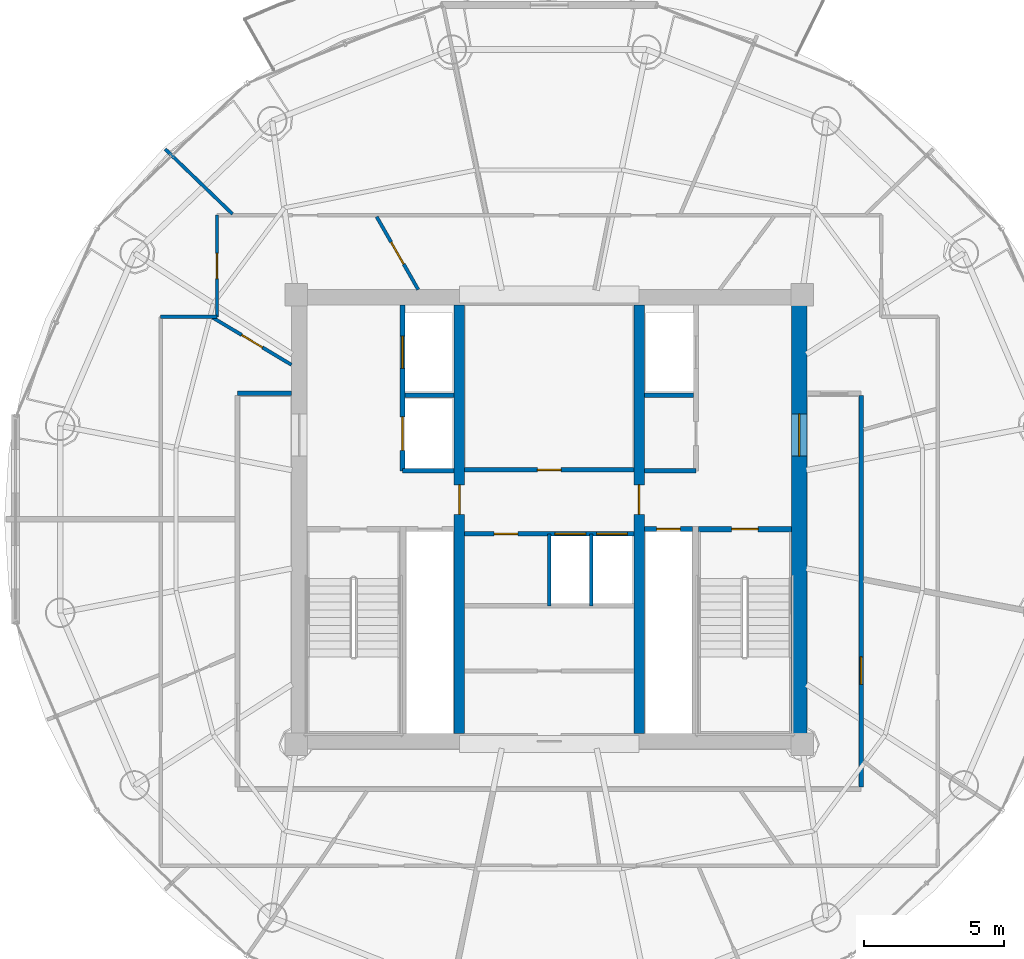
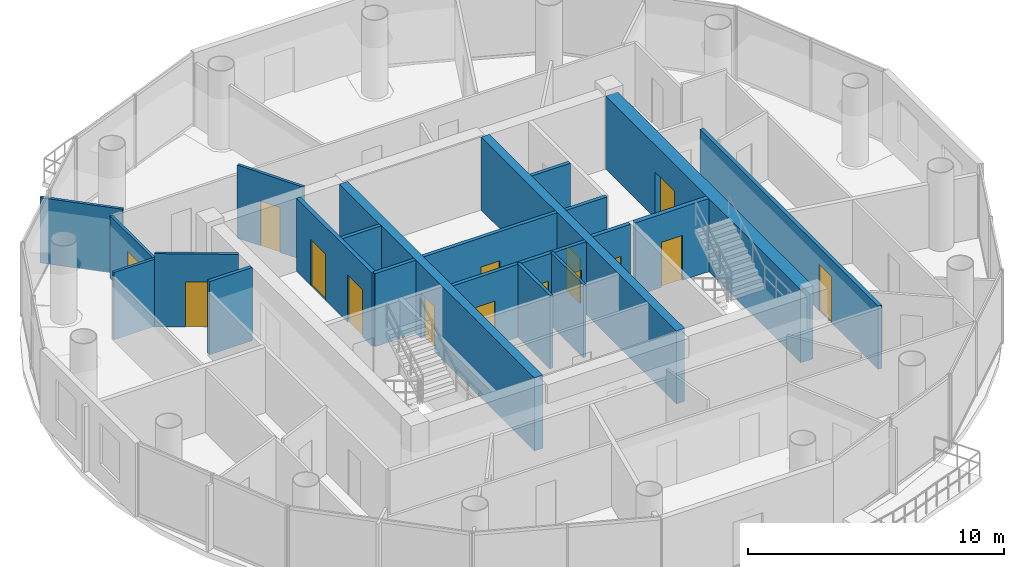
# One storey, part 18 of 23: 21 walls, 15 doors, 15 openings.
"""IFC4 building model written with IfcOpenShell, lengths in metres."""

from ifc_helpers import new_model, si_unit, direction, frame, frame_2d, origin, place, context, subcontext, project, spatial, rectangle, extrude, source, transform, mapped, material, layer, layer_set, type_object, element, fill, save


model = new_model("IFC4")

# Units and contexts
model_context = context("Model", 3, precision=1e-05, world=origin(), true_north=direction((-0.2419218956, 0.970295726276)))
body_context = subcontext(model_context, "Body", "Model", "MODEL_VIEW")
ifc_project = project(units=[si_unit("LENGTHUNIT", "METRE"), si_unit("AREAUNIT", "SQUARE_METRE"), si_unit("VOLUMEUNIT", "CUBIC_METRE"), si_unit("PLANEANGLEUNIT", "RADIAN"), si_unit("MASSUNIT", "GRAM", prefix="KILO")], contexts=[model_context])

# Site, building, storey
site_placement = place(None, origin())
site = spatial("IfcSite", under=ifc_project, at=site_placement, CompositionType="ELEMENT")
building_placement = place(site_placement, origin())
building = spatial("IfcBuilding", under=site, at=building_placement, Name="Cobrevalo Terracotta Tower", CompositionType="ELEMENT")
storey_placement = place(building_placement, frame((0.0, 0.0, 266.949951171875)))
storey = spatial("IfcBuildingStorey", under=building, at=storey_placement, Name="L70", CompositionType="ELEMENT", Elevation=266.949951171875)

# Wall, opening, door
ifc_material_1 = material(Name="Concrete C50", Category="concrete")
ifc_layer_1 = layer(ifc_material_1, 0.550048828125)
ifc_layer_set_1 = layer_set([ifc_layer_1], Name="Concrete C50")
wall_type_1 = type_object("IfcWallType", Name="Core shear wall 550 mm Concrete C50", PredefinedType="SHEAR", material=ifc_layer_set_1)
wall_1_placement = place(storey_placement, frame((46.89990234375, 19.175048828125, 0.0), z_axis=(0.0, 0.0, 1.0), x_axis=(0.0, 1.0, 0.0)))
wall_1 = element("IfcWall", 1, at=wall_1_placement, inside=storey, type_object=wall_type_1, Name="L70 east core shear wall", PredefinedType="SHEAR", context=body_context, shape_type="SweptSolid", body=[
    extrude(rectangle(XDim=15.25, YDim=0.550048828125, at=frame_2d((7.625, 0.0))), origin(), (0.0, 0.0, 1.0), 3.489990234375),
])
opening_1_placement = place(wall_1_placement, frame((9.875, 0.0, 0.0)))
opening_1 = element("IfcOpeningElement", 2, at=opening_1_placement, cuts=wall_1, Name="Opening ID-14", PredefinedType="OPENING", context=body_context, shape_type="SweptSolid", body=[
    extrude(rectangle(XDim=1.5, YDim=2.199951171875, at=frame_2d((0.75, 1.10009765625))), frame((0.0, 0.28515625, 0.0), z_axis=(0.0, -1.0, 0.0), x_axis=(1.0, 0.0, 0.0)), (0.0, 0.0, 1.0), 0.570068359375),
])
ifc_material_2 = material(Name="Galvanized fire-rated steel", Category="steel")
door_type_1 = type_object("IfcDoorType", Name="Core cross-lobby double fire door 1500x2200 EI 90", OperationType="NOTDEFINED", PredefinedType="DOOR", material=ifc_material_2)
shared_shape_1 = source(origin(), body_context, "Body", "SweptSolid", [
    extrude(rectangle(XDim=1.5, YDim=2.199951171875, at=frame_2d((0.75, 1.10009765625))), frame((0.0, 0.02490234375, 0.0), z_axis=(0.0, -1.0, 0.0), x_axis=(1.0, 0.0, 0.0)), (0.0, 0.0, 1.0), 0.050048828125),
])
door_1_placement = place(opening_1_placement, frame((1.5, 0.0, 0.0), z_axis=(0.0, 0.0, 1.0), x_axis=(-1.0, 0.0, 0.0)))
door_1 = element("IfcDoor", 3, at=door_1_placement, inside=storey, type_object=door_type_1, Name="L70 east firefighting lobby entrance door", OperationType="DOUBLE_DOOR_SINGLE_SWING", OverallHeight=2.199951171875, OverallWidth=1.5, PredefinedType="DOOR", context=body_context, shape_type="MappedRepresentation", body=[
    mapped(shared_shape_1, transform((0.0, 0.0, 0.0), scale=1.0)),
])
fill(opening_1, door_1)

# Walls
ifc_material_3 = material(Name="Gypsum board on steel stud", Category="steel")
ifc_layer_2 = layer(ifc_material_3, 0.159912109375)
ifc_layer_set_2 = layer_set([ifc_layer_2], Name="Gypsum board on steel stud")
wall_type_2 = type_object("IfcWallType", Name="Fire-rated corridor acoustic partition wall 160 mm", PredefinedType="PARTITIONING", material=ifc_layer_set_2)
wall_2_placement = place(storey_placement, frame((32.860107421875, 31.219970703125, 0.0), z_axis=(0.0, 0.0, 1.0), x_axis=(1.0, 0.0, 0.0)))
element("IfcWall", 4, at=wall_2_placement, inside=storey, type_object=wall_type_2, Name="L70 interior partition IW-L70-FF1-M", PredefinedType="PARTITIONING", context=body_context, shape_type="SweptSolid", body=[
    extrude(rectangle(XDim=1.75, YDim=0.159912109375, at=frame_2d((0.875, 0.0))), origin(), (0.0, 0.0, 1.0), 3.489990234375),
])
wall_3_placement = place(storey_placement, frame((32.77001953125, 28.52001953125, 0.0), z_axis=(0.0, 0.0, 1.0), x_axis=(1.0, 0.0, 0.0)))
element("IfcWall", 5, at=wall_3_placement, inside=storey, type_object=wall_type_2, Name="L70 interior partition IW-L70-FF1-S", PredefinedType="PARTITIONING", context=body_context, shape_type="SweptSolid", body=[
    extrude(rectangle(XDim=1.840087890625, YDim=0.159912109375, at=frame_2d((0.919921875, 0.0))), origin(), (0.0, 0.0, 1.0), 3.489990234375),
])
wall_4_placement = place(storey_placement, frame((41.389892578125, 31.219970703125, 0.0), z_axis=(0.0, 0.0, 1.0), x_axis=(1.0, 0.0, 0.0)))
element("IfcWall", 6, at=wall_4_placement, inside=storey, type_object=wall_type_2, Name="L70 interior partition IW-L70-FF2-M", PredefinedType="PARTITIONING", context=body_context, shape_type="SweptSolid", body=[
    extrude(rectangle(XDim=1.75, YDim=0.159912109375, at=frame_2d((0.875, 0.0))), origin(), (0.0, 0.0, 1.0), 3.489990234375),
])
wall_5_placement = place(storey_placement, frame((41.389892578125, 28.52001953125, 0.0), z_axis=(0.0, 0.0, 1.0), x_axis=(1.0, 0.0, 0.0)))
element("IfcWall", 7, at=wall_5_placement, inside=storey, type_object=wall_type_2, Name="L70 interior partition IW-L70-FF2-S", PredefinedType="PARTITIONING", context=body_context, shape_type="SweptSolid", body=[
    extrude(rectangle(XDim=1.840087890625, YDim=0.159912109375, at=frame_2d((0.919921875, 0.0))), origin(), (0.0, 0.0, 1.0), 3.489990234375),
])

# Wall, opening, door
wall_6_placement = place(storey_placement, frame((34.989990234375, 28.56005859375, 0.0), z_axis=(0.0, 0.0, 1.0), x_axis=(1.0, 0.0, 0.0)))
wall_6 = element("IfcWall", 8, at=wall_6_placement, inside=storey, type_object=wall_type_2, Name="L70 interior partition IW-L70-LB-S", PredefinedType="PARTITIONING", context=body_context, shape_type="SweptSolid", body=[
    extrude(rectangle(XDim=6.02001953125, YDim=0.159912109375, at=frame_2d((3.010009765625, 0.0))), origin(), (0.0, 0.0, 1.0), 3.489990234375),
])
opening_2_placement = place(wall_6_placement, frame((2.5849609375, 0.0, 0.0)))
opening_2 = element("IfcOpeningElement", 9, at=opening_2_placement, cuts=wall_6, Name="Opening ID-22", PredefinedType="OPENING", context=body_context, shape_type="SweptSolid", body=[
    extrude(rectangle(XDim=0.85009765625, YDim=2.10009765625, at=frame_2d((0.425048828125, 1.050048828125))), frame((0.0, 0.08984375, 0.0), z_axis=(0.0, -1.0, 0.0), x_axis=(1.0, 0.0, 0.0)), (0.0, 0.0, 1.0), 0.179931640625),
])
ifc_material_4 = material(Name="Powder-coated steel", Category="steel")
door_type_2 = type_object("IfcDoorType", Name="Riser shaft & meter closet fire access door 850x2100 EI 60", OperationType="NOTDEFINED", PredefinedType="DOOR", material=ifc_material_4)
shared_shape_2 = source(origin(), body_context, "Body", "SweptSolid", [
    extrude(rectangle(XDim=0.85009765625, YDim=2.10009765625, at=frame_2d((0.425048828125, 1.050048828125))), frame((0.0, 0.02490234375, 0.0), z_axis=(0.0, -1.0, 0.0), x_axis=(1.0, 0.0, 0.0)), (0.0, 0.0, 1.0), 0.050048828125),
])
door_2_placement = place(opening_2_placement, origin())
door_2 = element("IfcDoor", 10, at=door_2_placement, inside=storey, type_object=door_type_2, Name="L70 core service door Floor Electrical Switchroom", OperationType="SINGLE_SWING_LEFT", OverallHeight=2.10009765625, OverallWidth=0.85009765625, PredefinedType="DOOR", context=body_context, shape_type="MappedRepresentation", body=[
    mapped(shared_shape_2, transform((0.0, 0.0, 0.0), scale=1.0)),
])
fill(opening_2, door_2)

# Wall, openings, doors
wall_7_placement = place(storey_placement, frame((34.989990234375, 26.280029296875, 0.0), z_axis=(0.0, 0.0, 1.0), x_axis=(1.0, 0.0, 0.0)))
wall_7 = element("IfcWall", 11, at=wall_7_placement, inside=storey, type_object=wall_type_2, Name="L70 interior partition IW-L70-MB-N", PredefinedType="PARTITIONING", context=body_context, shape_type="SweptSolid", body=[
    extrude(rectangle(XDim=6.02001953125, YDim=0.159912109375, at=frame_2d((3.010009765625, 0.0))), origin(), (0.0, 0.0, 1.0), 3.489990234375),
])
opening_3_placement = place(wall_7_placement, frame((1.044921875, 0.0, 0.0)))
opening_3 = element("IfcOpeningElement", 12, at=opening_3_placement, cuts=wall_7, Name="Opening ID-22", PredefinedType="OPENING", context=body_context, shape_type="SweptSolid", body=[
    extrude(rectangle(XDim=0.85009765625, YDim=2.10009765625, at=frame_2d((0.425048828125, 1.050048828125))), frame((0.0, 0.08984375, 0.0), z_axis=(0.0, -1.0, 0.0), x_axis=(1.0, 0.0, 0.0)), (0.0, 0.0, 1.0), 0.179931640625),
])
opening_4_placement = place(wall_7_placement, frame((3.215087890625, 0.0, 0.0)))
opening_4 = element("IfcOpeningElement", 13, at=opening_4_placement, cuts=wall_7, Name="Opening LD-01", PredefinedType="OPENING", context=body_context, shape_type="SweptSolid", body=[
    extrude(rectangle(XDim=1.10009765625, YDim=2.199951171875, at=frame_2d((0.550048828125, 1.10009765625))), frame((0.0, 0.08984375, 0.0), z_axis=(0.0, -1.0, 0.0), x_axis=(1.0, 0.0, 0.0)), (0.0, 0.0, 1.0), 0.179931640625),
])
opening_5_placement = place(wall_7_placement, frame((4.695068359375, 0.0, 0.0)))
opening_5 = element("IfcOpeningElement", 14, at=opening_5_placement, cuts=wall_7, Name="Opening LD-01", PredefinedType="OPENING", context=body_context, shape_type="SweptSolid", body=[
    extrude(rectangle(XDim=1.10009765625, YDim=2.199951171875, at=frame_2d((0.550048828125, 1.10009765625))), frame((0.0, 0.08984375, 0.0), z_axis=(0.0, -1.0, 0.0), x_axis=(1.0, 0.0, 0.0)), (0.0, 0.0, 1.0), 0.179931640625),
])
door_3_placement = place(opening_3_placement, frame((0.85009765625, 0.0, 0.0), z_axis=(0.0, 0.0, 1.0), x_axis=(-1.0, 0.0, 0.0)))
door_3 = element("IfcDoor", 15, at=door_3_placement, inside=storey, type_object=door_type_2, Name="L70 core room door High-Rise Core Linen and Equipment Store", OperationType="SINGLE_SWING_RIGHT", OverallHeight=2.10009765625, OverallWidth=0.85009765625, PredefinedType="DOOR", context=body_context, shape_type="MappedRepresentation", body=[
    mapped(shared_shape_2, transform((0.0, 0.0, 0.0), scale=1.0)),
])
fill(opening_3, door_3)
ifc_material_5 = material(Name="Brushed stainless steel", Category="steel")
door_type_3 = type_object("IfcDoorType", Name="Passenger lift landing bi-parting sliding door 1100x2200 EI 90", OperationType="DOUBLE_DOOR_SLIDING", PredefinedType="DOOR", material=ifc_material_5)
shared_shape_3 = source(origin(), body_context, "Body", "SweptSolid", [
    extrude(rectangle(XDim=1.10009765625, YDim=2.199951171875, at=frame_2d((0.550048828125, 1.10009765625))), frame((0.0, 0.02490234375, 0.0), z_axis=(0.0, -1.0, 0.0), x_axis=(1.0, 0.0, 0.0)), (0.0, 0.0, 1.0), 0.050048828125),
])
door_4_placement = place(opening_4_placement, origin())
door_4 = element("IfcDoor", 16, at=door_4_placement, inside=storey, type_object=door_type_3, Name="L70 lift landing door PL-H1", OperationType="DOUBLE_DOOR_SLIDING", OverallHeight=2.199951171875, OverallWidth=1.10009765625, PredefinedType="DOOR", context=body_context, shape_type="MappedRepresentation", body=[
    mapped(shared_shape_3, transform((0.0, 0.0, 0.0), scale=1.0)),
])
fill(opening_4, door_4)
door_5_placement = place(opening_5_placement, origin())
door_5 = element("IfcDoor", 17, at=door_5_placement, inside=storey, type_object=door_type_3, Name="L70 lift landing door PL-H2", OperationType="DOUBLE_DOOR_SLIDING", OverallHeight=2.199951171875, OverallWidth=1.10009765625, PredefinedType="DOOR", context=body_context, shape_type="MappedRepresentation", body=[
    mapped(shared_shape_3, transform((0.0, 0.0, 0.0), scale=1.0)),
])
fill(opening_5, door_5)

# Wall
wall_8_placement = place(storey_placement, frame((26.89501953125, 31.280029296875, 0.0), z_axis=(0.0, 0.0, 1.0), x_axis=(1.0, 0.0, 0.0)))
element("IfcWall", 18, at=wall_8_placement, inside=storey, type_object=wall_type_2, Name="L70 interior partition IW-L70-COR-WN-CAP", PredefinedType="PARTITIONING", context=body_context, shape_type="SweptSolid", body=[
    extrude(rectangle(XDim=1.929931640625, YDim=0.159912109375, at=frame_2d((0.96484375, 0.0))), origin(), (0.0, 0.0, 1.0), 3.489990234375),
])

# Wall, opening, door
wall_9_placement = place(storey_placement, frame((49.10498046875, 17.27490234375, 0.0), z_axis=(0.0, 0.0, 1.0), x_axis=(0.0, 1.0, 0.0)))
wall_9 = element("IfcWall", 19, at=wall_9_placement, inside=storey, type_object=wall_type_2, Name="L70 interior partition IW-L70-COR-E", PredefinedType="PARTITIONING", context=body_context, shape_type="SweptSolid", body=[
    extrude(rectangle(XDim=13.925048828125, YDim=0.159912109375, at=frame_2d((6.96240234375, 0.0))), origin(), (0.0, 0.0, 1.0), 3.01513671875),
])
opening_6_placement = place(wall_9_placement, frame((3.647216796875, 0.0, 0.0)))
opening_6 = element("IfcOpeningElement", 20, at=opening_6_placement, cuts=wall_9, Name="Opening ID-05", PredefinedType="OPENING", context=body_context, shape_type="SweptSolid", body=[
    extrude(rectangle(XDim=0.97998046875, YDim=2.199951171875, at=frame_2d((0.489990234375, 1.10009765625))), frame((0.0, 0.08984375, 0.0), z_axis=(0.0, -1.0, 0.0), x_axis=(1.0, 0.0, 0.0)), (0.0, 0.0, 1.0), 0.179931640625),
])
ifc_material_6 = material(Name="Solid hardwood timber", Category="wood")
door_type_4 = type_object("IfcDoorType", Name="Residence entrance fire-rated acoustic timber door 980x2200 EI 60", OperationType="NOTDEFINED", PredefinedType="DOOR", material=ifc_material_6)
shared_shape_4 = source(origin(), body_context, "Body", "SweptSolid", [
    extrude(rectangle(XDim=0.97998046875, YDim=2.199951171875, at=frame_2d((0.489990234375, 1.10009765625))), frame((0.0, 0.02490234375, 0.0), z_axis=(0.0, -1.0, 0.0), x_axis=(1.0, 0.0, 0.0)), (0.0, 0.0, 1.0), 0.050048828125),
])
door_6_placement = place(opening_6_placement, frame((0.97998046875, 0.0, 0.0), z_axis=(0.0, 0.0, 1.0), x_axis=(-1.0, 0.0, 0.0)))
door_6 = element("IfcDoor", 21, at=door_6_placement, inside=storey, type_object=door_type_4, Name="Flat L70C fire-rated apartment entrance door", OperationType="SINGLE_SWING_RIGHT", OverallHeight=2.199951171875, OverallWidth=0.97998046875, PredefinedType="DOOR", context=body_context, shape_type="MappedRepresentation", body=[
    mapped(shared_shape_4, transform((0.0, 0.0, 0.0), scale=1.0)),
])
fill(opening_6, door_6)

ifc_layer_3 = layer(ifc_material_3, 0.179931640625)
ifc_layer_set_3 = layer_set([ifc_layer_3], Name="Gypsum board on steel stud")
wall_type_3 = type_object("IfcWallType", Name="Fire-rated shaft & lobby acoustic partition wall 180 mm", PredefinedType="PARTITIONING", material=ifc_layer_set_3)
wall_10_placement = place(storey_placement, frame((41.389892578125, 26.449951171875, 0.0), z_axis=(0.0, 0.0, 1.0), x_axis=(1.0, 0.0, 0.0)))
wall_10 = element("IfcWall", 22, at=wall_10_placement, inside=storey, type_object=wall_type_3, Name="L70 interior partition IW-L70-RSE-N", PredefinedType="PARTITIONING", context=body_context, shape_type="SweptSolid", body=[
    extrude(rectangle(XDim=1.710205078125, YDim=0.179931640625, at=frame_2d((0.85498046875, 0.0))), origin(), (0.0, 0.0, 1.0), 3.489990234375),
])
opening_7_placement = place(wall_10_placement, frame((0.429931640625, 0.0, 0.0)))
opening_7 = element("IfcOpeningElement", 23, at=opening_7_placement, cuts=wall_10, Name="Opening ID-22", PredefinedType="OPENING", context=body_context, shape_type="SweptSolid", body=[
    extrude(rectangle(XDim=0.85009765625, YDim=2.10009765625, at=frame_2d((0.425048828125, 1.050048828125))), frame((0.0, 0.10009765625, 0.0), z_axis=(0.0, -1.0, 0.0), x_axis=(1.0, 0.0, 0.0)), (0.0, 0.0, 1.0), 0.199951171875),
])
door_7_placement = place(opening_7_placement, origin())
door_7 = element("IfcDoor", 24, at=door_7_placement, inside=storey, type_object=door_type_2, Name="L70 riser access door RSE", OperationType="SINGLE_SWING_RIGHT", OverallHeight=2.10009765625, OverallWidth=0.85009765625, PredefinedType="DOOR", context=body_context, shape_type="MappedRepresentation", body=[
    mapped(shared_shape_2, transform((0.0, 0.0, 0.0), scale=1.0)),
])
fill(opening_7, door_7)

# Wall, openings, doors
wall_11_placement = place(storey_placement, frame((32.77001953125, 28.52001953125, 0.0), z_axis=(0.0, 0.0, 1.0), x_axis=(0.0, 1.0, 0.0)))
wall_11 = element("IfcWall", 25, at=wall_11_placement, inside=storey, type_object=wall_type_3, Name="L70 interior partition IW-L70-FF1-W", PredefinedType="PARTITIONING", context=body_context, shape_type="SweptSolid", body=[
    extrude(rectangle(XDim=5.905029296875, YDim=0.179931640625, at=frame_2d((2.95263671875, 0.0))), origin(), (0.0, 0.0, 1.0), 3.489990234375),
])
opening_8_placement = place(wall_11_placement, frame((3.655029296875, 0.0, 0.0)))
opening_8 = element("IfcOpeningElement", 26, at=opening_8_placement, cuts=wall_11, Name="Opening LD-02", PredefinedType="OPENING", context=body_context, shape_type="SweptSolid", body=[
    extrude(rectangle(XDim=1.14990234375, YDim=2.199951171875, at=frame_2d((0.574951171875, 1.10009765625))), frame((0.0, 0.10009765625, 0.0), z_axis=(0.0, -1.0, 0.0), x_axis=(1.0, 0.0, 0.0)), (0.0, 0.0, 1.0), 0.199951171875),
])
opening_9_placement = place(wall_11_placement, frame((0.72998046875, 0.0, 0.0)))
opening_9 = element("IfcOpeningElement", 27, at=opening_9_placement, cuts=wall_11, Name="Opening LD-03", PredefinedType="OPENING", context=body_context, shape_type="SweptSolid", body=[
    extrude(rectangle(XDim=1.199951171875, YDim=2.25, at=frame_2d((0.60009765625, 1.125))), frame((0.0, 0.10009765625, 0.0), z_axis=(0.0, -1.0, 0.0), x_axis=(1.0, 0.0, 0.0)), (0.0, 0.0, 1.0), 0.199951171875),
])
door_type_5 = type_object("IfcDoorType", Name="Firefighting lift landing bi-parting sliding door 1150x2200 EI 120", OperationType="DOUBLE_DOOR_SLIDING", PredefinedType="DOOR", material=ifc_material_5)
shared_shape_5 = source(origin(), body_context, "Body", "SweptSolid", [
    extrude(rectangle(XDim=1.14990234375, YDim=2.199951171875, at=frame_2d((0.574951171875, 1.10009765625))), frame((0.0, 0.02490234375, 0.0), z_axis=(0.0, -1.0, 0.0), x_axis=(1.0, 0.0, 0.0)), (0.0, 0.0, 1.0), 0.050048828125),
])
door_8_placement = place(opening_8_placement, origin())
door_8 = element("IfcDoor", 28, at=door_8_placement, inside=storey, type_object=door_type_5, Name="L70 lift landing door FF-1", OperationType="DOUBLE_DOOR_SLIDING", OverallHeight=2.199951171875, OverallWidth=1.14990234375, PredefinedType="DOOR", context=body_context, shape_type="MappedRepresentation", body=[
    mapped(shared_shape_5, transform((0.0, 0.0, 0.0), scale=1.0)),
])
fill(opening_8, door_8)
door_type_6 = type_object("IfcDoorType", Name="Service lift landing bi-parting sliding door 1200x2250 EI 120", OperationType="DOUBLE_DOOR_SLIDING", PredefinedType="DOOR", material=ifc_material_5)
shared_shape_6 = source(origin(), body_context, "Body", "SweptSolid", [
    extrude(rectangle(XDim=1.199951171875, YDim=2.25, at=frame_2d((0.60009765625, 1.125))), frame((0.0, 0.02490234375, 0.0), z_axis=(0.0, -1.0, 0.0), x_axis=(1.0, 0.0, 0.0)), (0.0, 0.0, 1.0), 0.050048828125),
])
door_9_placement = place(opening_9_placement, origin())
door_9 = element("IfcDoor", 29, at=door_9_placement, inside=storey, type_object=door_type_6, Name="L70 lift landing door SV-1", OperationType="DOUBLE_DOOR_SLIDING", OverallHeight=2.25, OverallWidth=1.199951171875, PredefinedType="DOOR", context=body_context, shape_type="MappedRepresentation", body=[
    mapped(shared_shape_6, transform((0.0, 0.0, 0.0), scale=1.0)),
])
fill(opening_9, door_9)

# Wall
ifc_material_7 = material(Name="Autoclaved aerated concrete block", Category="concrete")
ifc_layer_4 = layer(ifc_material_7, 0.1201171875)
ifc_layer_set_4 = layer_set([ifc_layer_4], Name="Autoclaved aerated concrete block")
wall_type_4 = type_object("IfcWallType", Name="Fire-rated wet-room & core service partition 120 mm", PredefinedType="PARTITIONING", material=ifc_layer_set_4)
wall_12_placement = place(storey_placement, frame((39.5, 23.719970703125, 0.0), z_axis=(0.0, 0.0, 1.0), x_axis=(0.0, 1.0, 0.0)))
element("IfcWall", 30, at=wall_12_placement, inside=storey, type_object=wall_type_4, Name="L70 interior partition IW-L70-MB-D3", PredefinedType="PARTITIONING", context=body_context, shape_type="SweptSolid", body=[
    extrude(rectangle(XDim=2.56005859375, YDim=0.1201171875, at=frame_2d((1.280029296875, 0.0))), origin(), (0.0, 0.0, 1.0), 3.489990234375),
])

# Wall, opening, door
ifc_layer_5 = layer(ifc_material_1, 0.3798828125)
ifc_layer_set_5 = layer_set([ifc_layer_5], Name="Concrete C50")
wall_type_5 = type_object("IfcWallType", Name="Internal core shear web wall 380 mm Concrete C50", PredefinedType="SHEAR", material=ifc_layer_set_5)
wall_13_placement = place(storey_placement, frame((34.800048828125, 19.175048828125, 0.0), z_axis=(0.0, 0.0, 1.0), x_axis=(0.0, 1.0, 0.0)))
wall_13 = element("IfcWall", 31, at=wall_13_placement, inside=storey, type_object=wall_type_5, Name="L70 internal core shear wall WEB-W", PredefinedType="SHEAR", context=body_context, shape_type="SweptSolid", body=[
    extrude(rectangle(XDim=15.25, YDim=0.3798828125, at=frame_2d((7.625, 0.0))), origin(), (0.0, 0.0, 1.0), 3.489990234375),
])
opening_10_placement = place(wall_13_placement, frame((7.800048828125, 0.0, 0.0)))
opening_10 = element("IfcOpeningElement", 32, at=opening_10_placement, cuts=wall_13, Name="Opening ID-11", PredefinedType="OPENING", context=body_context, shape_type="SweptSolid", body=[
    extrude(rectangle(XDim=1.050048828125, YDim=2.14990234375, at=frame_2d((0.52490234375, 1.074951171875))), frame((0.0, 0.199951171875, 0.0), z_axis=(0.0, -1.0, 0.0), x_axis=(1.0, 0.0, 0.0)), (0.0, 0.0, 1.0), 0.39990234375),
])
door_type_7 = type_object("IfcDoorType", Name="Core concourse cross fire door 1050x2150 EI 90", OperationType="NOTDEFINED", PredefinedType="DOOR", material=ifc_material_2)
shared_shape_7 = source(origin(), body_context, "Body", "SweptSolid", [
    extrude(rectangle(XDim=1.050048828125, YDim=2.14990234375, at=frame_2d((0.52490234375, 1.074951171875))), frame((0.0, 0.02490234375, 0.0), z_axis=(0.0, -1.0, 0.0), x_axis=(1.0, 0.0, 0.0)), (0.0, 0.0, 1.0), 0.050048828125),
])
door_10_placement = place(opening_10_placement, origin())
door_10 = element("IfcDoor", 33, at=door_10_placement, inside=storey, type_object=door_type_7, Name="L70 west core concourse cross door", OperationType="SINGLE_SWING_LEFT", OverallHeight=2.14990234375, OverallWidth=1.050048828125, PredefinedType="DOOR", context=body_context, shape_type="MappedRepresentation", body=[
    mapped(shared_shape_7, transform((0.0, 0.0, 0.0), scale=1.0)),
])
fill(opening_10, door_10)

wall_14_placement = place(storey_placement, frame((41.199951171875, 19.175048828125, 0.0), z_axis=(0.0, 0.0, 1.0), x_axis=(0.0, 1.0, 0.0)))
wall_14 = element("IfcWall", 34, at=wall_14_placement, inside=storey, type_object=wall_type_5, Name="L70 internal core shear wall WEB-E", PredefinedType="SHEAR", context=body_context, shape_type="SweptSolid", body=[
    extrude(rectangle(XDim=15.25, YDim=0.3798828125, at=frame_2d((7.625, 0.0))), origin(), (0.0, 0.0, 1.0), 3.489990234375),
])
opening_11_placement = place(wall_14_placement, frame((7.800048828125, 0.0, 0.0)))
opening_11 = element("IfcOpeningElement", 35, at=opening_11_placement, cuts=wall_14, Name="Opening ID-11", PredefinedType="OPENING", context=body_context, shape_type="SweptSolid", body=[
    extrude(rectangle(XDim=1.050048828125, YDim=2.14990234375, at=frame_2d((0.52490234375, 1.074951171875))), frame((0.0, 0.199951171875, 0.0), z_axis=(0.0, -1.0, 0.0), x_axis=(1.0, 0.0, 0.0)), (0.0, 0.0, 1.0), 0.39990234375),
])
door_11_placement = place(opening_11_placement, frame((1.050048828125, 0.0, 0.0), z_axis=(0.0, 0.0, 1.0), x_axis=(-1.0, 0.0, 0.0)))
door_11 = element("IfcDoor", 36, at=door_11_placement, inside=storey, type_object=door_type_7, Name="L70 east core concourse cross door", OperationType="SINGLE_SWING_RIGHT", OverallHeight=2.14990234375, OverallWidth=1.050048828125, PredefinedType="DOOR", context=body_context, shape_type="MappedRepresentation", body=[
    mapped(shared_shape_7, transform((0.0, 0.0, 0.0), scale=1.0)),
])
fill(opening_11, door_11)

# Walls
ifc_layer_6 = layer(ifc_material_7, 0.139892578125)
ifc_layer_set_6 = layer_set([ifc_layer_6], Name="Autoclaved aerated concrete block")
wall_type_6 = type_object("IfcWallType", Name="Moisture-resistant wet-room & core service partition 140 mm", PredefinedType="PARTITIONING", material=ifc_layer_set_6)
wall_15_placement = place(storey_placement, frame((38.0, 23.719970703125, 0.0), z_axis=(0.0, 0.0, 1.0), x_axis=(0.0, 1.0, 0.0)))
element("IfcWall", 37, at=wall_15_placement, inside=storey, type_object=wall_type_6, Name="L70 interior partition IW-L70-MB-D2", PredefinedType="PARTITIONING", context=body_context, shape_type="SweptSolid", body=[
    extrude(rectangle(XDim=2.56005859375, YDim=0.139892578125, at=frame_2d((1.280029296875, 0.0))), origin(), (0.0, 0.0, 1.0), 3.489990234375),
])
ifc_layer_7 = layer(ifc_material_3, 0.1201171875)
ifc_layer_set_7 = layer_set([ifc_layer_7], Name="Gypsum board on steel stud")
wall_type_7 = type_object("IfcWallType", Name="Residential internal acoustic stud partition 120 mm", PredefinedType="PARTITIONING", material=ifc_layer_set_7)
wall_16_placement = place(storey_placement, frame((24.1650390625, 34.010009765625, 0.0), z_axis=(0.0, 0.0, 1.0), x_axis=(1.0, 0.0, 0.0)))
element("IfcWall", 38, at=wall_16_placement, inside=storey, type_object=wall_type_7, Name="L70 interior partition IW-L70-U1-RING1_0", PredefinedType="PARTITIONING", context=body_context, shape_type="SweptSolid", body=[
    extrude(rectangle(XDim=2.010009765625, YDim=0.1201171875, at=frame_2d((1.0048828125, 0.0))), origin(), (0.0, 0.0, 1.0), 3.208984375),
])

# Wall, opening, door
wall_17_placement = place(storey_placement, frame((26.175048828125, 34.010009765625, 0.0), z_axis=(0.0, 0.0, 1.0), x_axis=(0.0, 1.0, 0.0)))
wall_17 = element("IfcWall", 39, at=wall_17_placement, inside=storey, type_object=wall_type_7, Name="L70 interior partition IW-L70-U1-RING2_0", PredefinedType="PARTITIONING", context=body_context, shape_type="SweptSolid", body=[
    extrude(rectangle(XDim=3.614990234375, YDim=0.1201171875, at=frame_2d((1.8076171875, 0.0))), origin(), (0.0, 0.0, 1.0), 3.01513671875),
])
opening_12_placement = place(wall_17_placement, frame((1.357421875, 0.0, 0.0)))
opening_12 = element("IfcOpeningElement", 40, at=opening_12_placement, cuts=wall_17, Name="Opening ID-12", PredefinedType="OPENING", context=body_context, shape_type="SweptSolid", body=[
    extrude(rectangle(XDim=0.89990234375, YDim=2.14990234375, at=frame_2d((0.449951171875, 1.074951171875))), frame((0.0, 0.070068359375, 0.0), z_axis=(0.0, -1.0, 0.0), x_axis=(1.0, 0.0, 0.0)), (0.0, 0.0, 1.0), 0.14013671875),
])
ifc_material_8 = material(Name="Engineered timber", Category="wood")
door_type_8 = type_object("IfcDoorType", Name="Internal residence & suite timber door 900x2150", OperationType="NOTDEFINED", PredefinedType="DOOR", material=ifc_material_8)
shared_shape_8 = source(origin(), body_context, "Body", "SweptSolid", [
    extrude(rectangle(XDim=0.89990234375, YDim=2.14990234375, at=frame_2d((0.449951171875, 1.074951171875))), frame((0.0, 0.02490234375, 0.0), z_axis=(0.0, -1.0, 0.0), x_axis=(1.0, 0.0, 0.0)), (0.0, 0.0, 1.0), 0.050048828125),
])
door_12_placement = place(opening_12_placement, origin())
door_12 = element("IfcDoor", 41, at=door_12_placement, inside=storey, type_object=door_type_8, Name="Flat L70A Private Cinema Room internal door", OperationType="SINGLE_SWING_LEFT", OverallHeight=2.14990234375, OverallWidth=0.89990234375, PredefinedType="DOOR", context=body_context, shape_type="MappedRepresentation", body=[
    mapped(shared_shape_8, transform((0.0, 0.0, 0.0), scale=1.0)),
])
fill(opening_12, door_12)

# Wall
wall_18_placement = place(storey_placement, frame((26.72509765625, 37.66796875, 0.0), z_axis=(0.0, 0.0, 1.0), x_axis=(-0.719954096891, 0.694021684366, 0.0)))
element("IfcWall", 42, at=wall_18_placement, inside=storey, type_object=wall_type_7, Name="L70 interior partition IW-L70-U1-ORAD3", PredefinedType="PARTITIONING", context=body_context, shape_type="SweptSolid", body=[
    extrude(rectangle(XDim=3.332763671875, YDim=0.1201171875, at=frame_2d((1.66650390625, 0.0))), origin(), (0.0, 0.0, 1.0), 3.12109375),
])

# Wall, opening, door
wall_19_placement = place(storey_placement, frame((33.33642578125, 34.976806640625, 0.0), z_axis=(0.0, 0.0, 1.0), x_axis=(-0.495399243909, 0.868665406894, 0.0)))
wall_19 = element("IfcWall", 43, at=wall_19_placement, inside=storey, type_object=wall_type_7, Name="L70 interior partition IW-L70-U1-IRAD4", PredefinedType="PARTITIONING", context=body_context, shape_type="SweptSolid", body=[
    extrude(rectangle(XDim=2.986572265625, YDim=0.1201171875, at=frame_2d((1.4931640625, 0.0))), origin(), (0.0, 0.0, 1.0), 3.489990234375),
])
opening_13_placement = place(wall_19_placement, frame((1.043212890625, 0.0, 0.0)))
opening_13 = element("IfcOpeningElement", 44, at=opening_13_placement, cuts=wall_19, Name="Opening ID-12", PredefinedType="OPENING", context=body_context, shape_type="SweptSolid", body=[
    extrude(rectangle(XDim=0.89990234375, YDim=2.14990234375, at=frame_2d((0.449951171875, 1.074951171875))), frame((0.0, 0.070068359375, 0.0), z_axis=(0.0, -1.0, 0.0), x_axis=(1.0, 0.0, 0.0)), (0.0, 0.0, 1.0), 0.14013671875),
])
door_13_placement = place(opening_13_placement, origin())
door_13 = element("IfcDoor", 45, at=door_13_placement, inside=storey, type_object=door_type_8, Name="Flat L70A Utility Closet internal door", OperationType="SINGLE_SWING_LEFT", OverallHeight=2.14990234375, OverallWidth=0.89990234375, PredefinedType="DOOR", context=body_context, shape_type="MappedRepresentation", body=[
    mapped(shared_shape_8, transform((0.0, 0.0, 0.0), scale=1.0)),
])
fill(opening_13, door_13)

wall_20_placement = place(storey_placement, frame((28.824951171875, 32.299560546875, 0.0), z_axis=(0.0, 0.0, 1.0), x_axis=(-0.857743539935, 0.514077834282, 0.0)))
wall_20 = element("IfcWall", 46, at=wall_20_placement, inside=storey, type_object=wall_type_7, Name="L70 interior partition IW-L70-U1-IRAD5", PredefinedType="PARTITIONING", context=body_context, shape_type="SweptSolid", body=[
    extrude(rectangle(XDim=3.264892578125, YDim=0.1201171875, at=frame_2d((1.63232421875, 0.0))), origin(), (0.0, 0.0, 1.0), 3.489990234375),
])
opening_14_placement = place(wall_20_placement, frame((1.202392578125, 0.0, 0.0)))
opening_14 = element("IfcOpeningElement", 47, at=opening_14_placement, cuts=wall_20, Name="Opening ID-19", PredefinedType="OPENING", context=body_context, shape_type="SweptSolid", body=[
    extrude(rectangle(XDim=0.860107421875, YDim=2.14990234375, at=frame_2d((0.43017578125, 1.074951171875))), frame((0.0, 0.070068359375, 0.0), z_axis=(0.0, -1.0, 0.0), x_axis=(1.0, 0.0, 0.0)), (0.0, 0.0, 1.0), 0.14013671875),
])
ifc_material_9 = material(Name="Moisture-sealed timber", Category="wood")
door_type_9 = type_object("IfcDoorType", Name="Suite bathroom internal timber door 860x2150", OperationType="NOTDEFINED", PredefinedType="DOOR", material=ifc_material_9)
shared_shape_9 = source(origin(), body_context, "Body", "SweptSolid", [
    extrude(rectangle(XDim=0.860107421875, YDim=2.14990234375, at=frame_2d((0.43017578125, 1.074951171875))), frame((0.0, 0.02490234375, 0.0), z_axis=(0.0, -1.0, 0.0), x_axis=(1.0, 0.0, 0.0)), (0.0, 0.0, 1.0), 0.050048828125),
])
door_14_placement = place(opening_14_placement, origin())
door_14 = element("IfcDoor", 48, at=door_14_placement, inside=storey, type_object=door_type_9, Name="Flat L70A Guest Bathroom internal door", OperationType="SINGLE_SWING_RIGHT", OverallHeight=2.14990234375, OverallWidth=0.860107421875, PredefinedType="DOOR", context=body_context, shape_type="MappedRepresentation", body=[
    mapped(shared_shape_9, transform((0.0, 0.0, 0.0), scale=1.0)),
])
fill(opening_14, door_14)

ifc_layer_8 = layer(ifc_material_1, 0.199951171875)
ifc_layer_set_8 = layer_set([ifc_layer_8], Name="Concrete C50")
wall_type_8 = type_object("IfcWallType", Name="Structural core & podium stair-shaft RC wall 200 mm Concrete C50", PredefinedType="SOLIDWALL", material=ifc_layer_set_8)
wall_21_placement = place(storey_placement, frame((43.304931640625, 26.449951171875, 0.0), z_axis=(0.0, 0.0, 1.0), x_axis=(1.0, 0.0, 0.0)))
wall_21 = element("IfcWall", 49, at=wall_21_placement, inside=storey, type_object=wall_type_8, Name="L70 ST-2 north structural shaft wall", PredefinedType="SOLIDWALL", context=body_context, shape_type="SweptSolid", body=[
    extrude(rectangle(XDim=3.320068359375, YDim=0.199951171875, at=frame_2d((1.66015625, 0.0))), origin(), (0.0, 0.0, 1.0), 3.489990234375),
])
opening_15_placement = place(wall_21_placement, frame((1.18505859375, 0.0, 0.0)))
opening_15 = element("IfcOpeningElement", 50, at=opening_15_placement, cuts=wall_21, Name="Opening ID-04", PredefinedType="OPENING", context=body_context, shape_type="SweptSolid", body=[
    extrude(rectangle(XDim=0.949951171875, YDim=2.14990234375, at=frame_2d((0.47509765625, 1.074951171875))), frame((0.0, 0.10986328125, 0.0), z_axis=(0.0, -1.0, 0.0), x_axis=(1.0, 0.0, 0.0)), (0.0, 0.0, 1.0), 0.219970703125),
])
door_type_10 = type_object("IfcDoorType", Name="Stair & firefighting lobby fire door 950x2150 EI 90", OperationType="NOTDEFINED", PredefinedType="DOOR", material=ifc_material_2)
shared_shape_10 = source(origin(), body_context, "Body", "SweptSolid", [
    extrude(rectangle(XDim=0.949951171875, YDim=2.14990234375, at=frame_2d((0.47509765625, 1.074951171875))), frame((0.0, 0.02490234375, 0.0), z_axis=(0.0, -1.0, 0.0), x_axis=(1.0, 0.0, 0.0)), (0.0, 0.0, 1.0), 0.050048828125),
])
door_15_placement = place(opening_15_placement, frame((0.949951171875, 0.0, 0.0), z_axis=(0.0, 0.0, 1.0), x_axis=(-1.0, 0.0, 0.0)))
door_15 = element("IfcDoor", 51, at=door_15_placement, inside=storey, type_object=door_type_10, Name="L70 protected stair ST2 fire door", OperationType="SINGLE_SWING_RIGHT", OverallHeight=2.14990234375, OverallWidth=0.949951171875, PredefinedType="DOOR", context=body_context, shape_type="MappedRepresentation", body=[
    mapped(shared_shape_10, transform((0.0, 0.0, 0.0), scale=1.0)),
])
fill(opening_15, door_15)

save(model, "model.ifc")
